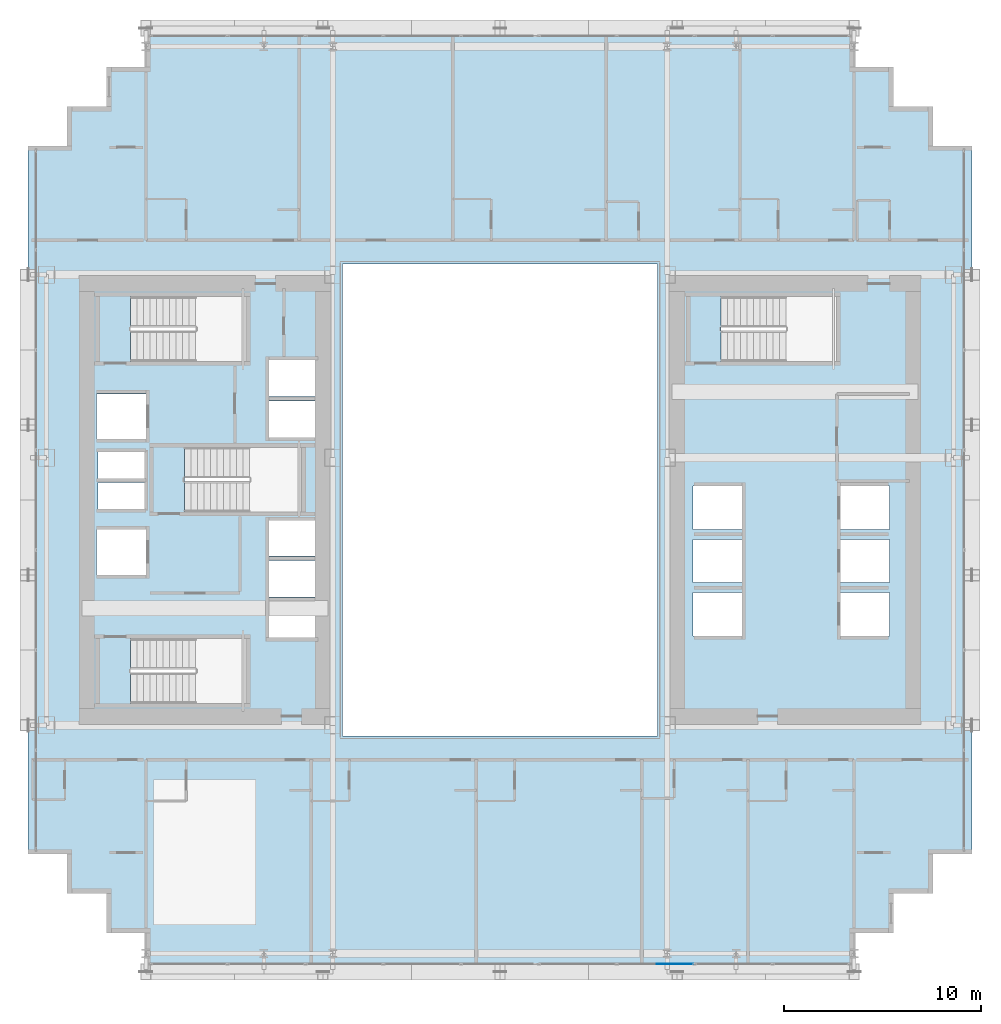
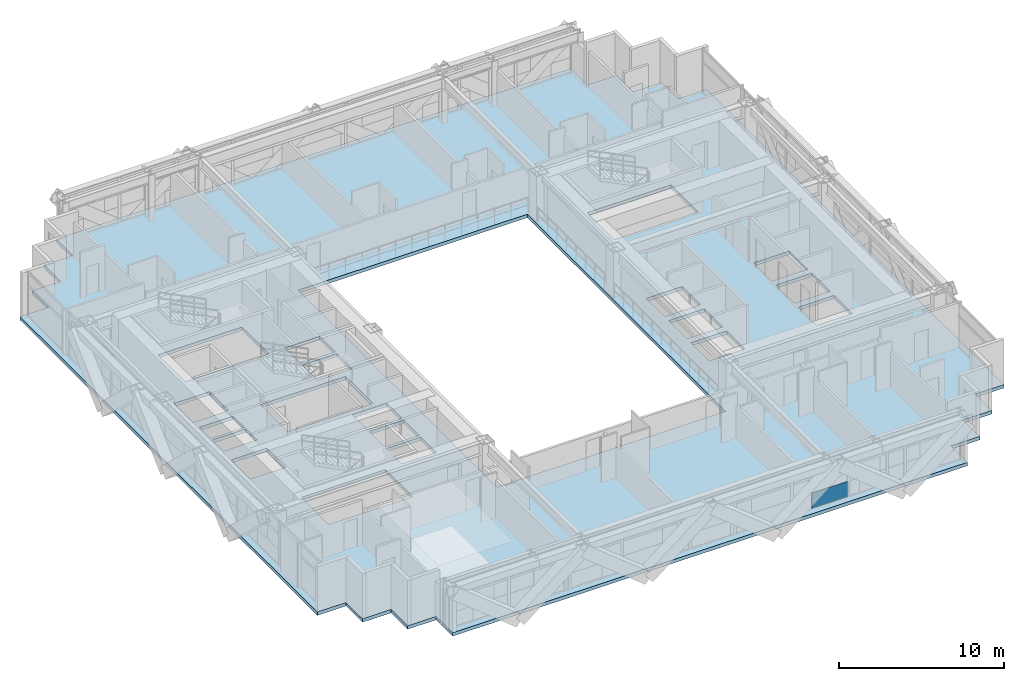
# One storey, part 25 of 38: 1 plate, 1 slab, 1 element without a shape of its own.
"""IFC4 building model written with IfcOpenShell, lengths in metres."""

from ifc_helpers import new_model, si_unit, direction, frame, origin, origin_2d, place, context, subcontext, project, spatial, polyline, rectangle, outline, extrude, source, transform, mapped, material, layer, layer_set, type_object, element, aggregate, save


model = new_model("IFC4")

# Units and contexts
model_context = context("Model", 3, precision=1e-05, world=origin(), true_north=direction((0.0, 1.0)))
body_context = subcontext(model_context, "Body", "Model", "MODEL_VIEW")
ifc_project = project(units=[si_unit("LENGTHUNIT", "METRE"), si_unit("AREAUNIT", "SQUARE_METRE"), si_unit("VOLUMEUNIT", "CUBIC_METRE"), si_unit("PLANEANGLEUNIT", "RADIAN"), si_unit("MASSUNIT", "GRAM", prefix="KILO")], contexts=[model_context])

# Site, building, storey
site_placement = place(None, origin())
site = spatial("IfcSite", under=ifc_project, at=site_placement, CompositionType="ELEMENT")
building_placement = place(site_placement, origin())
building = spatial("IfcBuilding", under=site, at=building_placement, Name="Ocotamira Hotel", CompositionType="ELEMENT")
storey_placement = place(building_placement, frame((0.0, 0.0, 60.0)))
storey = spatial("IfcBuildingStorey", under=building, at=storey_placement, Name="L14", CompositionType="ELEMENT", Elevation=60.0)

# Slab
ifc_material_1 = material(Name="Concrete C40/50", Category="concrete")
ifc_layer_1 = layer(ifc_material_1, 0.25)
ifc_layer_set_1 = layer_set([ifc_layer_1], Name="Concrete C40/50")
slab_type = type_object("IfcSlabType", Name="SLB-Z1-250", PredefinedType="FLOOR", material=ifc_layer_set_1)
slab_placement = place(storey_placement, frame((0.0, 0.0, -0.25)))
element("IfcSlab", 1, at=slab_placement, inside=storey, type_object=slab_type, Name="L14 Structural Floor Slab", PredefinedType="FLOOR", context=body_context, shape_type="SweptSolid", body=[
    extrude(outline(polyline([(14.0, 2.0), (50.0, 2.0), (50.0, 4.0), (52.0, 4.0), (52.0, 6.0), (54.0, 6.0), (54.0, 8.0), (56.0, 8.0), (56.0, 44.0), (54.0, 44.0), (54.0, 46.0), (52.0, 46.0), (52.0, 48.0), (50.0, 48.0), (50.0, 50.0), (14.0, 50.0), (14.0, 48.0), (12.0, 48.0), (12.0, 46.0), (10.0, 46.0), (10.0, 44.0), (8.0, 44.0), (8.0, 8.0), (10.0, 8.0), (10.0, 6.0), (12.0, 6.0), (12.0, 4.0), (14.0, 4.0), (14.0, 2.0)]), holes=[polyline([(24.0, 14.0), (40.0, 14.0), (40.0, 38.0), (24.0, 38.0), (24.0, 14.0)]), polyline([(13.22998046875, 15.669921875), (19.090087890625, 15.669921875), (19.090087890625, 18.949951171875), (13.22998046875, 18.949951171875), (13.22998046875, 15.669921875)]), polyline([(13.22998046875, 33.050048828125), (19.090087890625, 33.050048828125), (19.090087890625, 36.330078125), (13.22998046875, 36.330078125), (13.22998046875, 33.050048828125)]), polyline([(15.9599609375, 25.39990234375), (21.919921875, 25.39990234375), (21.919921875, 28.679931640625), (15.9599609375, 28.679931640625), (15.9599609375, 25.39990234375)]), polyline([(43.22998046875, 33.050048828125), (49.090087890625, 33.050048828125), (49.090087890625, 36.330078125), (43.22998046875, 36.330078125), (43.22998046875, 33.050048828125)]), polyline([(49.300048828125, 19.10009765625), (51.800048828125, 19.10009765625), (51.800048828125, 21.300048828125), (49.300048828125, 21.300048828125), (49.300048828125, 19.10009765625)]), polyline([(49.300048828125, 21.800048828125), (51.800048828125, 21.800048828125), (51.800048828125, 24.0), (49.300048828125, 24.0), (49.300048828125, 21.800048828125)]), polyline([(49.300048828125, 24.5), (51.800048828125, 24.5), (51.800048828125, 26.699951171875), (49.300048828125, 26.699951171875), (49.300048828125, 24.5)]), polyline([(41.800048828125, 19.10009765625), (44.300048828125, 19.10009765625), (44.300048828125, 21.300048828125), (41.800048828125, 21.300048828125), (41.800048828125, 19.10009765625)]), polyline([(41.800048828125, 21.800048828125), (44.300048828125, 21.800048828125), (44.300048828125, 24.0), (41.800048828125, 24.0), (41.800048828125, 21.800048828125)]), polyline([(41.800048828125, 24.5), (44.300048828125, 24.5), (44.300048828125, 26.699951171875), (41.800048828125, 26.699951171875), (41.800048828125, 24.5)]), polyline([(20.25, 19.0), (22.659912109375, 19.0), (22.659912109375, 20.85009765625), (20.25, 20.85009765625), (20.25, 19.0)]), polyline([(20.25, 21.080078125), (22.659912109375, 21.080078125), (22.659912109375, 22.929931640625), (20.25, 22.929931640625), (20.25, 21.080078125)]), polyline([(20.25, 23.159912109375), (22.659912109375, 23.159912109375), (22.659912109375, 24.9599609375), (20.25, 24.9599609375), (20.25, 23.159912109375)]), polyline([(20.25, 29.179931640625), (22.659912109375, 29.179931640625), (22.659912109375, 31.030029296875), (20.25, 31.030029296875), (20.25, 29.179931640625)]), polyline([(20.25, 31.260009765625), (22.659912109375, 31.260009765625), (22.659912109375, 33.110107421875), (20.25, 33.110107421875), (20.25, 31.260009765625)]), polyline([(11.5, 22.199951171875), (14.0, 22.199951171875), (14.0, 24.5), (11.5, 24.5), (11.5, 22.199951171875)]), polyline([(11.5, 29.10009765625), (14.0, 29.10009765625), (14.0, 31.39990234375), (11.5, 31.39990234375), (11.5, 29.10009765625)]), polyline([(11.580078125, 25.550048828125), (13.919921875, 25.550048828125), (13.919921875, 26.89990234375), (11.580078125, 26.89990234375), (11.580078125, 25.550048828125)]), polyline([(11.580078125, 27.10009765625), (13.919921875, 27.10009765625), (13.919921875, 28.449951171875), (11.580078125, 28.449951171875), (11.580078125, 27.10009765625)])]), origin(), (0.0, 0.0, 1.0), 0.25),
])

# Curtain wall, plate
ifc_material_2 = material(Name="Anodised pale-metal aluminium and solar glass", Category="aluminium")
ifc_layer_2 = layer(ifc_material_2, 0.179931640625)
ifc_layer_set_2 = layer_set([ifc_layer_2], Name="Anodised pale-metal aluminium and solar glass")
curtain_wall_type = type_object("IfcCurtainWallType", Name="CW-SYS2-Z1", PredefinedType="NOTDEFINED", material=ifc_layer_set_2)
curtain_wall_placement = place(storey_placement, origin())
curtain_wall = element("IfcCurtainWall", 2, at=curtain_wall_placement, inside=storey, type_object=curtain_wall_type, Name="L14 Curtain Wall CW-2 CW-L14-S1", PredefinedType="NOTDEFINED")
ifc_material_3 = material(Name="Double-silver low-E insulated solar glass", Category="glass")
ifc_layer_3 = layer(ifc_material_3, 0.031982421875)
ifc_layer_set_3 = layer_set([ifc_layer_3], Name="Double-silver low-E insulated solar glass")
plate_type = type_object("IfcPlateType", Name="CWP-VISION-32", PredefinedType="CURTAIN_PANEL", material=ifc_layer_set_3)
shared_shape = source(origin(), body_context, "Body", "SweptSolid", [
    extrude(rectangle(XDim=2.511474609375, YDim=0.031982421875, at=origin_2d()), origin(), (0.0, 0.0, 1.0), 1.11865234375),
])
plate_placement = place(storey_placement, frame((40.59326171875, 2.419921875, 0.0751953125), z_axis=(0.0, 0.0, 1.0), x_axis=(1.0, 0.0, 0.0)))
plate = element("IfcPlate", 3, at=plate_placement, type_object=plate_type, Name="CW-2 panel 7.1.1", PredefinedType="CURTAIN_PANEL", context=body_context, shape_type="MappedRepresentation", body=[
    mapped(shared_shape, transform((0.0, 0.0, 0.0), scale=1.0)),
])
aggregate(curtain_wall, [plate])

save(model, "model.ifc")
